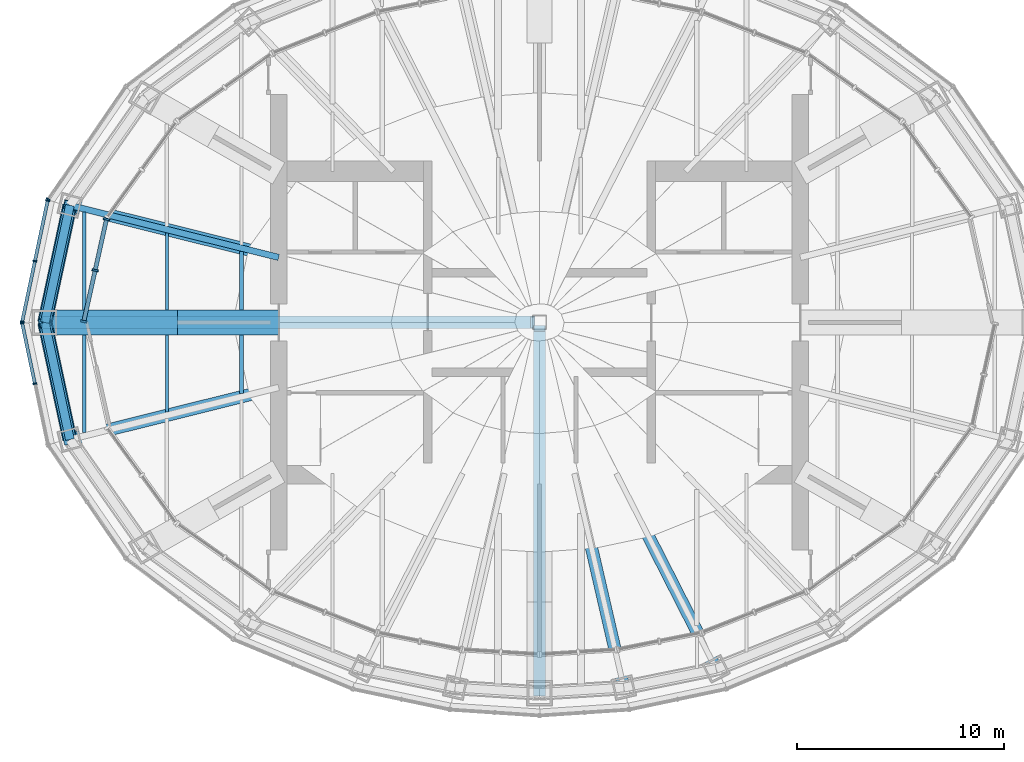
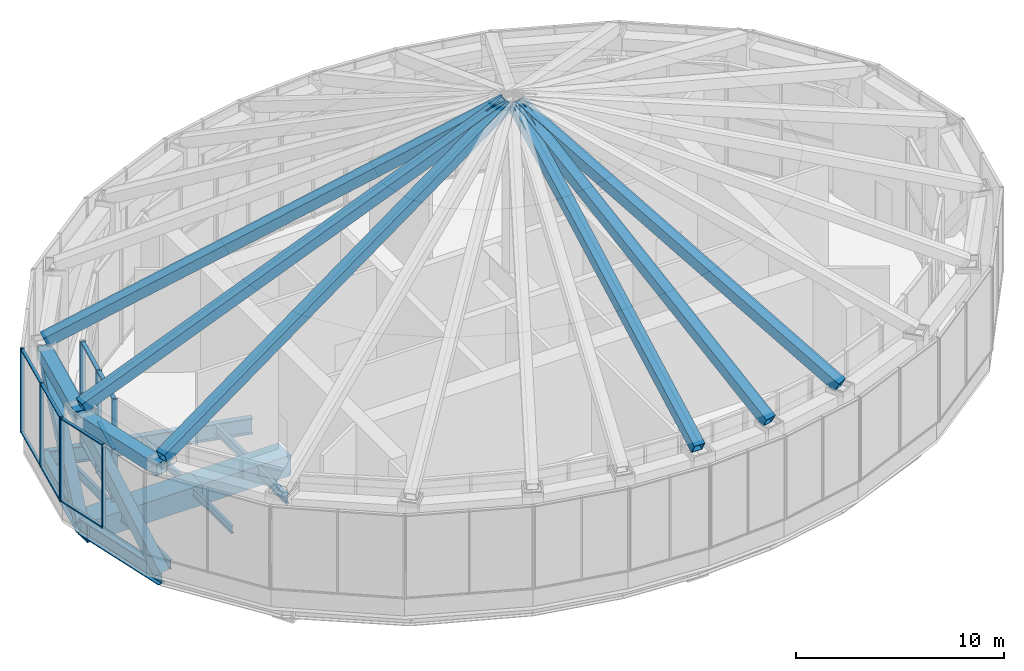
# One storey, part 5 of 21: 29 members, 13 beams, 4 elements without a shape of their own.
"""IFC4 building model written with IfcOpenShell, lengths in metres."""

import ifcopenshell
import ifcopenshell.guid

model = None  # the IFC model being written
_history = None  # IfcOwnerHistory: only IFC2X3 demands one
_inside = {}  # id of a spatial element -> (the spatial element, [elements in it])
_under = {}  # id of a project, library or spatial element -> (it, [spatial elements below it])
_declared = {}  # id of a project -> (the project, [libraries it declares])
_typed = {}  # id of a type object -> (the type object, [elements of that type])
_made_of = {}  # id of a material, layer set ... -> (it, [elements and type objects made of it])


def new_model(schema):
    """Start an empty IFC model of exactly this schema.

    Asked for "IFC4X3", IfcOpenShell would pick the latest addendum, in which some entities
    have other attributes; the version numbers below select the first issue.
    IFC2X3 requires an IfcOwnerHistory on every rooted entity: one is made here for all.
    """
    global model, _history
    if schema == "IFC4X3":
        model = ifcopenshell.file(schema_version=(4, 3, 0, 0))
    else:
        model = ifcopenshell.file(schema=schema)
    _inside.clear()
    _under.clear()
    _declared.clear()
    _typed.clear()
    _made_of.clear()
    _history = None
    if model.schema == "IFC2X3":
        org = make("IfcOrganization", Name="unknown")
        user = make(
            "IfcPersonAndOrganization",
            ThePerson=make("IfcPerson", FamilyName="unknown"),
            TheOrganization=org,
        )
        app = make(
            "IfcApplication",
            ApplicationDeveloper=org,
            Version="unknown",
            ApplicationFullName="unknown",
            ApplicationIdentifier="unknown",
        )
        _history = make(
            "IfcOwnerHistory",
            OwningUser=user,
            OwningApplication=app,
            ChangeAction="ADDED",
            CreationDate=0,
        )
    return model


def make(cls, **values):
    """One entity of the class cls with the attributes given. An attribute that is None is left unset."""
    return model.create_entity(
        cls, **{name: value for name, value in values.items() if value is not None}
    )


def rooted(cls, **values):
    """An entity with a GlobalId (a new one), such as an element, a storey or a relation."""
    return make(cls, GlobalId=ifcopenshell.guid.new(), OwnerHistory=_history, **values)


def si_unit(unit_type, name, prefix=None):
    """IfcSIUnit, for example si_unit("LENGTHUNIT", "METRE", prefix="MILLI")."""
    return make("IfcSIUnit", UnitType=unit_type, Prefix=prefix, Name=name)


def assignment(units):
    """IfcUnitAssignment: the units of a project."""
    return None if units is None else make("IfcUnitAssignment", Units=units)


def point(xyz):
    """IfcCartesianPoint."""
    return None if xyz is None else make("IfcCartesianPoint", Coordinates=xyz)


def direction(xyz):
    """IfcDirection."""
    return None if xyz is None else make("IfcDirection", DirectionRatios=xyz)


def frame(location, z_axis=None, x_axis=None):
    """IfcAxis2Placement3D, a coordinate frame: its origin and axes. An axis left out is left unset."""
    return make(
        "IfcAxis2Placement3D",
        Location=point(location),
        Axis=direction(z_axis),
        RefDirection=direction(x_axis),
    )


def frame_2d(location, x_axis=None):
    """IfcAxis2Placement2D, a coordinate frame in the plane: its origin and x axis."""
    return make(
        "IfcAxis2Placement2D", Location=point(location), RefDirection=direction(x_axis)
    )


def origin():
    """The frame at (0, 0, 0) with its axes left unset."""
    return frame((0.0, 0.0, 0.0))


def origin_2d():
    """The frame at (0, 0) in the plane with its x axis left unset."""
    return frame_2d((0.0, 0.0))


def place(relative_to, where):
    """IfcLocalPlacement: puts the frame where relative to a parent placement (None: the world)."""
    return make(
        "IfcLocalPlacement", PlacementRelTo=relative_to, RelativePlacement=where
    )


def context(
    kind, dimensions, precision=None, world=None, true_north=None, identifier=None
):
    """IfcGeometricRepresentationContext, for example the 3D "Model" context."""
    return make(
        "IfcGeometricRepresentationContext",
        ContextIdentifier=identifier,
        ContextType=kind,
        CoordinateSpaceDimension=dimensions,
        Precision=precision,
        WorldCoordinateSystem=world,
        TrueNorth=true_north,
    )


def subcontext(parent, identifier, kind, view, scale=None):
    """IfcGeometricRepresentationSubContext, for example "Body" below "Model"."""
    return make(
        "IfcGeometricRepresentationSubContext",
        ContextIdentifier=identifier,
        ContextType=kind,
        ParentContext=parent,
        TargetScale=scale,
        TargetView=view,
    )


def project(units=None, contexts=None):
    """IfcProject with its units and contexts."""
    return rooted(
        "IfcProject",
        Name="project",
        RepresentationContexts=contexts,
        UnitsInContext=assignment(units),
    )


def spatial(cls, under=None, at=None, **own):
    """A site, building, storey or space (cls), placed at a placement, below another one or the project."""
    s = rooted(cls, ObjectPlacement=at, **own)
    if under is not None:
        _under.setdefault(under.id(), (under, []))[1].append(s)
    return s


def profile(cls, at=None, kind="AREA", **sizes):
    """A parametric profile (cls). Its sizes go by their IFC names, for example OverallWidth=200.0."""
    return make(cls, ProfileType=kind, Position=at, **sizes)


def rectangle(**sizes):
    """IfcRectangleProfileDef."""
    return profile("IfcRectangleProfileDef", **sizes)


def hollow_rectangle(**sizes):
    """IfcRectangleHollowProfileDef."""
    return profile("IfcRectangleHollowProfileDef", **sizes)


def i_section(**sizes):
    """IfcIShapeProfileDef."""
    return profile("IfcIShapeProfileDef", **sizes)


def extrude(swept, where, along, depth):
    """IfcExtrudedAreaSolid: the profile swept, set in the frame where, extruded along a direction by depth."""
    return make(
        "IfcExtrudedAreaSolid",
        SweptArea=swept,
        Position=where,
        ExtrudedDirection=direction(along),
        Depth=depth,
    )


def shape(context_of_items, identifier, shape_type, items):
    """IfcShapeRepresentation: the items that make up one representation, for example the "Body"."""
    return make(
        "IfcShapeRepresentation",
        ContextOfItems=context_of_items,
        RepresentationIdentifier=identifier,
        RepresentationType=shape_type,
        Items=items,
    )


def material(Name=None, Category=None):
    """IfcMaterial."""
    return make("IfcMaterial", Name=Name, Category=Category)


def material_profile(
    of_material, cross_section, Name=None, Category=None, Priority=None
):
    """IfcMaterialProfile: a cross section and its material."""
    return make(
        "IfcMaterialProfile",
        Name=Name,
        Material=of_material,
        Profile=cross_section,
        Priority=Priority,
        Category=Category,
    )


def profile_set(profiles, Name=None, composite=None):
    """IfcMaterialProfileSet."""
    return make(
        "IfcMaterialProfileSet",
        Name=Name,
        MaterialProfiles=profiles,
        CompositeProfile=composite,
    )


def made_of(thing, what):
    """Note that an element or type object is made of a material, layer set ...; save() writes the relation."""
    if what is not None:
        _made_of.setdefault(what.id(), (what, []))[1].append(thing)
    return thing


def type_object(cls, material=None, **own):
    """A type object (cls), such as IfcWallType, which elements share."""
    return made_of(rooted(cls, **own), material)


def element(
    cls,
    number,
    at=None,
    inside=None,
    cuts=None,
    type_object=None,
    material=None,
    context=None,
    identifier="Body",
    shape_type=None,
    held_by="IfcProductDefinitionShape",
    body=None,
    shapes=None,
    **own,
):
    """One element of the class cls, such as IfcWall. Its Tag is "e" and its number.

    at: its placement. inside: the storey or other place that contains it. cuts: it is an
    opening in that element (IfcRelVoidsElement). A single representation is given by context,
    identifier, shape_type and body (its items); several are given by shapes. held_by: the class
    of the entity that holds the representations. save() writes the other relations.
    """
    e = rooted(cls, Tag="e%d" % number, ObjectPlacement=at, **own)
    if body is not None:
        shapes = [shape(context, identifier, shape_type, body)]
    if shapes is not None:
        e.Representation = make(held_by, Representations=shapes)
    if inside is not None:
        _inside.setdefault(inside.id(), (inside, []))[1].append(e)
    if cuts is not None:
        rooted(
            "IfcRelVoidsElement", RelatingBuildingElement=cuts, RelatedOpeningElement=e
        )
    if type_object is not None:
        _typed.setdefault(type_object.id(), (type_object, []))[1].append(e)
    return made_of(e, material)


def aggregate(whole, parts):
    """IfcRelAggregates: a whole, such as a stair, and the parts it consists of."""
    return rooted("IfcRelAggregates", RelatingObject=whole, RelatedObjects=parts)


def save(model, path):
    """Write the relations noted so far, then the file.

    IfcRelAggregates (storeys below a building ...), IfcRelContainedInSpatialStructure (elements
    in a storey), IfcRelDefinesByType, IfcRelAssociatesMaterial and IfcRelDeclares: one each for
    every whole, place, type object, material and project.
    """
    for whole, parts in _under.values():
        aggregate(whole, parts)
    for where, things in _inside.values():
        rooted(
            "IfcRelContainedInSpatialStructure",
            RelatedElements=things,
            RelatingStructure=where,
        )
    for kind, things in _typed.values():
        rooted("IfcRelDefinesByType", RelatedObjects=things, RelatingType=kind)
    for what, things in _made_of.values():
        rooted("IfcRelAssociatesMaterial", RelatedObjects=things, RelatingMaterial=what)
    for by, libraries in _declared.values():
        rooted("IfcRelDeclares", RelatingContext=by, RelatedDefinitions=libraries)
    model.write(path)


model = new_model("IFC4")

# Units and contexts
model_context = context("Model", 3, precision=1e-05, world=origin(), true_north=direction((0.0, 1.0)))
body_context = subcontext(model_context, "Body", "Model", "MODEL_VIEW")
ifc_project = project(units=[si_unit("LENGTHUNIT", "METRE"), si_unit("AREAUNIT", "SQUARE_METRE"), si_unit("VOLUMEUNIT", "CUBIC_METRE"), si_unit("PLANEANGLEUNIT", "RADIAN"), si_unit("MASSUNIT", "GRAM", prefix="KILO")], contexts=[model_context])

# Site, building, storey
site_placement = place(None, origin())
site = spatial("IfcSite", under=ifc_project, at=site_placement, CompositionType="ELEMENT")
building_placement = place(site_placement, origin())
building = spatial("IfcBuilding", under=site, at=building_placement, Name="Lantaw Convention Tower", CompositionType="ELEMENT")
storey_placement = place(building_placement, frame((0.0, 0.0, 290.39990234375)))
storey = spatial("IfcBuildingStorey", under=building, at=storey_placement, Name="L67", CompositionType="ELEMENT", Elevation=290.39990234375)

# Beams
ifc_material_1 = material(Name="Steel ASTM A992", Category="steel")
ifc_material_profile_1 = material_profile(ifc_material_1, i_section(OverallWidth=0.424072265625, OverallDepth=0.947509765625, WebThickness=0.02392578125, FlangeThickness=0.042724609375, FilletRadius=0.012451171875, at=origin_2d()), Name="W36X302")
ifc_profile_set_1 = profile_set([ifc_material_profile_1], Name="Steel ASTM A992")
beam_type_1 = type_object("IfcBeamType", Name="Beam BC W36X302", PredefinedType="SPANDREL", material=ifc_profile_set_1)
for number, where, z_axis, x_axis, name in (
    (1, (-22.68701171875, 5.656494140625, -0.673583984375), (-0.209658780372, -0.977774614015, 0.0), (0.977774614015, -0.209658780372, 0.0), "Belt truss chord 12"),
    (2, (-23.89990234375, 0.0, -0.673583984375), (0.209658780372, -0.977774614015, 0.0), (0.977774614015, 0.209658780372, 0.0), "Belt truss chord 13"),
):
    element("IfcBeam", number, at=place(storey_placement, frame(where, z_axis=z_axis, x_axis=x_axis)), inside=storey, type_object=beam_type_1, Name=name, PredefinedType="SPANDREL", context=body_context, shape_type="SweptSolid", body=[
        extrude(i_section(OverallWidth=0.424072265625, OverallDepth=0.947509765625, WebThickness=0.02392578125, FlangeThickness=0.042724609375, FilletRadius=0.012451171875, at=origin_2d()), origin(), (0.0, 0.0, 1.0), 5.78515625),
    ])
ifc_material_2 = material(Name="Steel EN 10025-3 S460N", Category="steel")
ifc_material_profile_2 = material_profile(ifc_material_2, hollow_rectangle(XDim=1.199951171875, YDim=1.199951171875, WallThickness=0.10009765625, at=origin_2d()), Name="BOX1200X100")
ifc_profile_set_2 = profile_set([ifc_material_profile_2], Name="Steel EN 10025-3 S460N")
beam_type_2 = type_object("IfcBeamType", Name="Beam G BOX1200X100", PredefinedType="BEAM", material=ifc_profile_set_2)
beam_1_placement = place(storey_placement, frame((-17.5, 0.0, -0.7998046875), z_axis=(-1.0, 0.0, 0.0), x_axis=(0.0, -1.0, 0.0)))
element("IfcBeam", 3, at=beam_1_placement, inside=storey, type_object=beam_type_2, Name="Floor girder on ray 13", PredefinedType="BEAM", context=body_context, shape_type="SweptSolid", body=[
    extrude(hollow_rectangle(XDim=1.199951171875, YDim=1.199951171875, WallThickness=0.10009765625, at=origin_2d()), origin(), (0.0, 0.0, 1.0), 6.39990234375),
])
ifc_material_profile_3 = material_profile(ifc_material_1, i_section(OverallWidth=0.307373046875, OverallDepth=0.9423828125, WebThickness=0.022216796875, FlangeThickness=0.039794921875, FilletRadius=0.0126953125, at=origin_2d()), Name="W36X232")
ifc_profile_set_3 = profile_set([ifc_material_profile_3], Name="Steel ASTM A992")
beam_type_3 = type_object("IfcBeamType", Name="Beam G W36X232", PredefinedType="BEAM", material=ifc_profile_set_3)
beam_2_placement = place(storey_placement, frame((-12.60009765625, 3.1416015625, -0.671142578125), z_axis=(-0.97029702597, 0.241916682751, 0.0), x_axis=(-0.241916682751, -0.97029702597, 0.0)))
element("IfcBeam", 4, at=beam_2_placement, inside=storey, type_object=beam_type_3, Name="Floor girder on ray 12", PredefinedType="BEAM", context=body_context, shape_type="SweptSolid", body=[
    extrude(i_section(OverallWidth=0.307373046875, OverallDepth=0.9423828125, WebThickness=0.022216796875, FlangeThickness=0.039794921875, FilletRadius=0.0126953125, at=origin_2d()), origin(), (0.0, 0.0, 1.0), 10.395751953125),
])
ifc_material_profile_4 = material_profile(ifc_material_1, i_section(OverallWidth=0.15234375, OverallDepth=0.449462890625, WebThickness=0.007568359375, FlangeThickness=0.0107421875, FilletRadius=0.01025390625, at=origin_2d()), Name="W18X35")
ifc_profile_set_4 = profile_set([ifc_material_profile_4], Name="Steel ASTM A992")
beam_type_4 = type_object("IfcBeamType", Name="Beam J W18X35", PredefinedType="JOIST", material=ifc_profile_set_4)
for number, where, z_axis, x_axis, name in (
    (5, (-18.0, -4.32958984375, -0.4248046875), (0.0, 1.0, 0.0), (-1.0, 0.0, 0.0), "Floor joist"),
    (6, (-18.0, 0.60009765625, -0.4248046875), (0.0, 1.0, 0.0), (-1.0, 0.0, 0.0), "Floor joist"),
):
    element("IfcBeam", number, at=place(storey_placement, frame(where, z_axis=z_axis, x_axis=x_axis)), inside=storey, type_object=beam_type_4, Name=name, PredefinedType="JOIST", context=body_context, shape_type="SweptSolid", body=[
        extrude(i_section(OverallWidth=0.15234375, OverallDepth=0.449462890625, WebThickness=0.007568359375, FlangeThickness=0.0107421875, FilletRadius=0.01025390625, at=origin_2d()), origin(), (0.0, 0.0, 1.0), 3.7294921875),
    ])
ifc_material_profile_5 = material_profile(ifc_material_1, i_section(OverallWidth=0.1650390625, OverallDepth=0.52587890625, WebThickness=0.0087890625, FlangeThickness=0.011474609375, FilletRadius=0.0126953125, at=origin_2d()), Name="W21X44")
ifc_profile_set_5 = profile_set([ifc_material_profile_5], Name="Steel ASTM A992")
beam_type_5 = type_object("IfcBeamType", Name="Beam J W21X44", PredefinedType="JOIST", material=ifc_profile_set_5)
for number, where, z_axis, x_axis, name in (
    (7, (-22.0, -5.326904296875, -0.462890625), (0.0, 1.0, 0.0), (-1.0, 0.0, 0.0), "Floor joist"),
    (8, (-22.0, 0.60009765625, -0.462890625), (0.0, 1.0, 0.0), (-1.0, 0.0, 0.0), "Floor joist"),
):
    element("IfcBeam", number, at=place(storey_placement, frame(where, z_axis=z_axis, x_axis=x_axis)), inside=storey, type_object=beam_type_5, Name=name, PredefinedType="JOIST", context=body_context, shape_type="SweptSolid", body=[
        extrude(i_section(OverallWidth=0.1650390625, OverallDepth=0.52587890625, WebThickness=0.0087890625, FlangeThickness=0.011474609375, FilletRadius=0.0126953125, at=origin_2d()), origin(), (0.0, 0.0, 1.0), 4.726806640625),
    ])
ifc_material_profile_6 = material_profile(ifc_material_1, i_section(OverallWidth=0.2099609375, OverallDepth=0.535888671875, WebThickness=0.010986328125, FlangeThickness=0.017333984375, FilletRadius=0.012939453125, at=origin_2d()), Name="W21X68")
ifc_profile_set_6 = profile_set([ifc_material_profile_6], Name="Steel ASTM A992")
beam_type_6 = type_object("IfcBeamType", Name="Beam J W21X68", PredefinedType="JOIST", material=ifc_profile_set_6)
for number, where, z_axis, x_axis, name in (
    (9, (-14.39990234375, -3.431884765625, -0.4677734375), (0.0, 1.0, 0.0), (-1.0, 0.0, 0.0), "Floor joist"),
    (10, (-14.39990234375, 0.60009765625, -0.4677734375), (0.0, 1.0, 0.0), (-1.0, 0.0, 0.0), "Floor joist"),
):
    element("IfcBeam", number, at=place(storey_placement, frame(where, z_axis=z_axis, x_axis=x_axis)), inside=storey, type_object=beam_type_6, Name=name, PredefinedType="JOIST", context=body_context, shape_type="SweptSolid", body=[
        extrude(i_section(OverallWidth=0.2099609375, OverallDepth=0.535888671875, WebThickness=0.010986328125, FlangeThickness=0.017333984375, FilletRadius=0.012939453125, at=origin_2d()), origin(), (0.0, 0.0, 1.0), 2.831787109375),
    ])
ifc_material_profile_7 = material_profile(ifc_material_2, hollow_rectangle(XDim=1.199951171875, YDim=1.199951171875, WallThickness=0.10009765625, at=origin_2d()), Name="BOX1200X100")
ifc_profile_set_7 = profile_set([ifc_material_profile_7], Name="Steel EN 10025-3 S460N")
beam_type_7 = type_object("IfcBeamType", Name="Beam OC BOX1200X100", PredefinedType="BEAM", material=ifc_profile_set_7)
beam_3_placement = place(storey_placement, frame((-12.60009765625, 0.0, -0.7998046875), z_axis=(-1.0, 0.0, 0.0), x_axis=(0.0, -1.0, 0.0)))
element("IfcBeam", 11, at=beam_3_placement, inside=storey, type_object=beam_type_7, Name="Outrigger chord on ray 13", PredefinedType="BEAM", context=body_context, shape_type="SweptSolid", body=[
    extrude(hollow_rectangle(XDim=1.199951171875, YDim=1.199951171875, WallThickness=0.10009765625, at=origin_2d()), origin(), (0.0, 0.0, 1.0), 4.89990234375),
])
ifc_material_3 = material(Name="Steel ASTM A572 Grade 50", Category="steel")
ifc_material_profile_8 = material_profile(ifc_material_3, hollow_rectangle(XDim=0.699951171875, YDim=0.699951171875, WallThickness=0.0400390625, at=origin_2d()), Name="BOX700X40")
ifc_profile_set_8 = profile_set([ifc_material_profile_8], Name="Steel ASTM A572 Grade 50")
beam_type_8 = type_object("IfcBeamType", Name="Beam crown ring BOX700X40", PredefinedType="SPANDREL", material=ifc_profile_set_8)
for number, where, z_axis, x_axis, name in (
    (12, (-22.68701171875, 5.656494140625, 5.650146484375), (-0.209658780372, -0.977774614015, 0.0), (0.977774614015, -0.209658780372, 0.0), "Crown ring beam"),
    (13, (-23.89990234375, 0.0, 5.650146484375), (0.209658780372, -0.977774614015, 0.0), (0.977774614015, 0.209658780372, 0.0), "Crown ring beam"),
):
    element("IfcBeam", number, at=place(storey_placement, frame(where, z_axis=z_axis, x_axis=x_axis)), inside=storey, type_object=beam_type_8, Name=name, PredefinedType="SPANDREL", context=body_context, shape_type="SweptSolid", body=[
        extrude(hollow_rectangle(XDim=0.699951171875, YDim=0.699951171875, WallThickness=0.0400390625, at=origin_2d()), origin(), (0.0, 0.0, 1.0), 5.78515625),
    ])

# Curtain wall, members
ifc_material_4 = material(Name="Aluminium framed curtain wall", Category="aluminium")
curtain_wall_type_1 = type_object("IfcCurtainWallType", Name="LANTERN glazing curtain wall, pale aluminium", PredefinedType="USERDEFINED", material=ifc_material_4)
curtain_wall_1_placement = place(storey_placement, origin())
curtain_wall_1 = element("IfcCurtainWall", 14, at=curtain_wall_1_placement, inside=storey, type_object=curtain_wall_type_1, Name="LANTERN glazing curtain wall, pale aluminium L67", ObjectType="LANTERN GLAZING", PredefinedType="USERDEFINED")
ifc_material_5 = material(Name="Aluminium 6063-T6", Category="aluminium")
ifc_material_profile_9 = material_profile(ifc_material_5, rectangle(XDim=0.300048828125, YDim=0.10009765625, at=origin_2d()), Name="CW-LN mullion 100x300")
ifc_profile_set_9 = profile_set([ifc_material_profile_9], Name="Aluminium 6063-T6")
member_type_1 = type_object("IfcMemberType", Name="CW-LN mullion 100x300", PredefinedType="MULLION", material=ifc_profile_set_9)
member_1_placement = place(storey_placement, frame((-20.919677734375, 4.98681640625, 0.0), z_axis=(0.0, 0.0, 1.0), x_axis=(0.976223729568, -0.216765379683, 0.0)))
member_1 = element("IfcMember", 15, at=member_1_placement, type_object=member_type_1, Name="CW-LN mullion 1", PredefinedType="MULLION", context=body_context, shape_type="SweptSolid", body=[
    extrude(rectangle(XDim=0.300048828125, YDim=0.10009765625, at=origin_2d()), origin(), (0.0, 0.0, 1.0), 6.0),
])
member_2_placement = place(storey_placement, frame((-21.4677734375, 2.517822265625, 0.0), z_axis=(0.0, 0.0, 1.0), x_axis=(0.976223729568, -0.216765379683, 0.0)))
member_2 = element("IfcMember", 16, at=member_2_placement, type_object=member_type_1, Name="CW-LN mullion 2", PredefinedType="MULLION", context=body_context, shape_type="SweptSolid", body=[
    extrude(rectangle(XDim=0.300048828125, YDim=0.10009765625, at=origin_2d()), origin(), (0.0, 0.0, 1.0), 6.0),
])
member_3_placement = place(storey_placement, frame((-22.01611328125, 0.048828125, 0.0), z_axis=(0.0, 0.0, 1.0), x_axis=(0.976223729568, -0.216765379683, 0.0)))
member_3 = element("IfcMember", 17, at=member_3_placement, type_object=member_type_1, Name="CW-LN mullion 3", PredefinedType="MULLION", context=body_context, shape_type="SweptSolid", body=[
    extrude(rectangle(XDim=0.300048828125, YDim=0.10009765625, at=origin_2d()), origin(), (0.0, 0.0, 1.0), 6.0),
])
ifc_material_profile_10 = material_profile(ifc_material_5, rectangle(XDim=0.199951171875, YDim=0.10009765625, at=origin_2d()), Name="CW-LN transom 100x200")
ifc_profile_set_10 = profile_set([ifc_material_profile_10], Name="Aluminium 6063-T6")
member_type_2 = type_object("IfcMemberType", Name="CW-LN transom 100x200", PredefinedType="USERDEFINED", material=ifc_profile_set_10)
member_4_placement = place(storey_placement, frame((-20.930419921875, 4.93798828125, 0.050048828125), z_axis=(-0.21679211166, -0.976217793488, 0.0), x_axis=(0.976217793488, -0.21679211166, 0.0)))
member_4 = element("IfcMember", 18, at=member_4_placement, type_object=member_type_2, Name="CW-LN transom 1.1", ObjectType="TRANSOM", PredefinedType="USERDEFINED", context=body_context, shape_type="SweptSolid", body=[
    extrude(rectangle(XDim=0.199951171875, YDim=0.10009765625, at=origin_2d()), origin(), (0.0, 0.0, 1.0), 2.42919921875),
])
member_5_placement = place(storey_placement, frame((-20.930419921875, 4.93798828125, 3.0), z_axis=(-0.21679211166, -0.976217793488, 0.0), x_axis=(0.976217793488, -0.21679211166, 0.0)))
member_5 = element("IfcMember", 19, at=member_5_placement, type_object=member_type_2, Name="CW-LN transom 1.2", ObjectType="TRANSOM", PredefinedType="USERDEFINED", context=body_context, shape_type="SweptSolid", body=[
    extrude(rectangle(XDim=0.199951171875, YDim=0.10009765625, at=origin_2d()), origin(), (0.0, 0.0, 1.0), 2.42919921875),
])
member_6_placement = place(storey_placement, frame((-20.930419921875, 4.93798828125, 5.9501953125), z_axis=(-0.21679211166, -0.976217793488, 0.0), x_axis=(0.976217793488, -0.21679211166, 0.0)))
member_6 = element("IfcMember", 20, at=member_6_placement, type_object=member_type_2, Name="CW-LN transom 1.3", ObjectType="TRANSOM", PredefinedType="USERDEFINED", context=body_context, shape_type="SweptSolid", body=[
    extrude(rectangle(XDim=0.199951171875, YDim=0.10009765625, at=origin_2d()), origin(), (0.0, 0.0, 1.0), 2.42919921875),
])
member_7_placement = place(storey_placement, frame((-21.478515625, 2.468994140625, 0.050048828125), z_axis=(-0.21679211166, -0.976217793488, 0.0), x_axis=(0.976217793488, -0.21679211166, 0.0)))
member_7 = element("IfcMember", 21, at=member_7_placement, type_object=member_type_2, Name="CW-LN transom 2.1", ObjectType="TRANSOM", PredefinedType="USERDEFINED", context=body_context, shape_type="SweptSolid", body=[
    extrude(rectangle(XDim=0.199951171875, YDim=0.10009765625, at=origin_2d()), origin(), (0.0, 0.0, 1.0), 2.42919921875),
])
member_8_placement = place(storey_placement, frame((-21.478515625, 2.468994140625, 3.0), z_axis=(-0.21679211166, -0.976217793488, 0.0), x_axis=(0.976217793488, -0.21679211166, 0.0)))
member_8 = element("IfcMember", 22, at=member_8_placement, type_object=member_type_2, Name="CW-LN transom 2.2", ObjectType="TRANSOM", PredefinedType="USERDEFINED", context=body_context, shape_type="SweptSolid", body=[
    extrude(rectangle(XDim=0.199951171875, YDim=0.10009765625, at=origin_2d()), origin(), (0.0, 0.0, 1.0), 2.42919921875),
])
member_9_placement = place(storey_placement, frame((-21.478515625, 2.468994140625, 5.9501953125), z_axis=(-0.21679211166, -0.976217793488, 0.0), x_axis=(0.976217793488, -0.21679211166, 0.0)))
member_9 = element("IfcMember", 23, at=member_9_placement, type_object=member_type_2, Name="CW-LN transom 2.3", ObjectType="TRANSOM", PredefinedType="USERDEFINED", context=body_context, shape_type="SweptSolid", body=[
    extrude(rectangle(XDim=0.199951171875, YDim=0.10009765625, at=origin_2d()), origin(), (0.0, 0.0, 1.0), 2.42919921875),
])
aggregate(curtain_wall_1, [member_1, member_2, member_3, member_4, member_5, member_6, member_7, member_8, member_9])

# Curtain wall, member
curtain_wall_type_2 = type_object("IfcCurtainWallType", Name="Plant floor louvre wall, pale aluminium", PredefinedType="USERDEFINED", material=ifc_material_4)
curtain_wall_2_placement = place(storey_placement, origin())
curtain_wall_2 = element("IfcCurtainWall", 24, at=curtain_wall_2_placement, inside=storey, type_object=curtain_wall_type_2, Name="Plant floor louvre wall, pale aluminium L67", ObjectType="LOUVRE WALL", PredefinedType="USERDEFINED")
ifc_material_profile_11 = material_profile(ifc_material_5, rectangle(XDim=0.199951171875, YDim=0.070068359375, at=origin_2d()), Name="CW-LV mullion 70x200")
ifc_profile_set_11 = profile_set([ifc_material_profile_11], Name="Aluminium 6063-T6")
member_type_3 = type_object("IfcMemberType", Name="CW-LV mullion 70x200", PredefinedType="MULLION", material=ifc_profile_set_11)
member_10_placement = place(storey_placement, frame((-23.734619140625, 5.951416015625, 1.10009765625), z_axis=(0.0, 0.0, 1.0), x_axis=(0.824449977189, -0.565934832921, 0.0)))
member_10 = element("IfcMember", 25, at=member_10_placement, type_object=member_type_3, Name="CW-LV mullion 3", PredefinedType="MULLION", context=body_context, shape_type="SweptSolid", body=[
    extrude(rectangle(XDim=0.199951171875, YDim=0.070068359375, at=origin_2d()), origin(), (0.0, 0.0, 1.0), 4.89990234375),
])
aggregate(curtain_wall_2, [member_10])

# Curtain wall, members
curtain_wall_3_placement = place(storey_placement, origin())
curtain_wall_3 = element("IfcCurtainWall", 26, at=curtain_wall_3_placement, inside=storey, type_object=curtain_wall_type_2, Name="Plant floor louvre wall, pale aluminium L67", ObjectType="LOUVRE WALL", PredefinedType="USERDEFINED")
member_11_placement = place(storey_placement, frame((-23.761474609375, 5.888427734375, 1.10009765625), z_axis=(0.0, 0.0, 1.0), x_axis=(0.978591117263, -0.205814054946, 0.0)))
member_11 = element("IfcMember", 27, at=member_11_placement, type_object=member_type_3, Name="CW-LV mullion 1", PredefinedType="MULLION", context=body_context, shape_type="SweptSolid", body=[
    extrude(rectangle(XDim=0.199951171875, YDim=0.070068359375, at=origin_2d()), origin(), (0.0, 0.0, 1.0), 4.89990234375),
])
member_12_placement = place(storey_placement, frame((-24.377197265625, 2.96142578125, 1.10009765625), z_axis=(0.0, 0.0, 1.0), x_axis=(0.978591117263, -0.205814054946, 0.0)))
member_12 = element("IfcMember", 28, at=member_12_placement, type_object=member_type_3, Name="CW-LV mullion 2", PredefinedType="MULLION", context=body_context, shape_type="SweptSolid", body=[
    extrude(rectangle(XDim=0.199951171875, YDim=0.070068359375, at=origin_2d()), origin(), (0.0, 0.0, 1.0), 4.89990234375),
])
member_13_placement = place(storey_placement, frame((-24.99267578125, 0.0341796875, 1.10009765625), z_axis=(0.0, 0.0, 1.0), x_axis=(0.978591117263, -0.205814054946, 0.0)))
member_13 = element("IfcMember", 29, at=member_13_placement, type_object=member_type_3, Name="CW-LV mullion 3", PredefinedType="MULLION", context=body_context, shape_type="SweptSolid", body=[
    extrude(rectangle(XDim=0.199951171875, YDim=0.070068359375, at=origin_2d()), origin(), (0.0, 0.0, 1.0), 4.89990234375),
])

curtain_wall_4_placement = place(storey_placement, origin())
curtain_wall_4 = element("IfcCurtainWall", 30, at=curtain_wall_4_placement, inside=storey, type_object=curtain_wall_type_2, Name="Plant floor louvre wall, pale aluminium L67", ObjectType="LOUVRE WALL", PredefinedType="USERDEFINED")
member_14_placement = place(storey_placement, frame((-24.99267578125, -0.0341796875, 1.10009765625), z_axis=(0.0, 0.0, 1.0), x_axis=(0.978591117263, 0.205814054946, 0.0)))
member_14 = element("IfcMember", 31, at=member_14_placement, type_object=member_type_3, Name="CW-LV mullion 1", PredefinedType="MULLION", context=body_context, shape_type="SweptSolid", body=[
    extrude(rectangle(XDim=0.199951171875, YDim=0.070068359375, at=origin_2d()), origin(), (0.0, 0.0, 1.0), 4.89990234375),
])
member_15_placement = place(storey_placement, frame((-24.377197265625, -2.96142578125, 1.10009765625), z_axis=(0.0, 0.0, 1.0), x_axis=(0.978591117263, 0.205814054946, 0.0)))
member_15 = element("IfcMember", 32, at=member_15_placement, type_object=member_type_3, Name="CW-LV mullion 2", PredefinedType="MULLION", context=body_context, shape_type="SweptSolid", body=[
    extrude(rectangle(XDim=0.199951171875, YDim=0.070068359375, at=origin_2d()), origin(), (0.0, 0.0, 1.0), 4.89990234375),
])

# Member
ifc_material_profile_12 = material_profile(ifc_material_5, rectangle(XDim=0.159912109375, YDim=0.070068359375, at=origin_2d()), Name="CW-LV transom 70x160")
ifc_profile_set_12 = profile_set([ifc_material_profile_12], Name="Aluminium 6063-T6")
member_type_4 = type_object("IfcMemberType", Name="CW-LV transom 70x160", PredefinedType="USERDEFINED", material=ifc_profile_set_12)
member_16_placement = place(storey_placement, frame((-23.768798828125, 5.854248046875, 1.135009765625), z_axis=(-0.205766173106, -0.978601186391, 0.0), x_axis=(0.978601186391, -0.205766173106, 0.0)))
member_16 = element("IfcMember", 33, at=member_16_placement, type_object=member_type_4, Name="CW-LV transom 1.1", ObjectType="TRANSOM", PredefinedType="USERDEFINED", context=body_context, shape_type="SweptSolid", body=[
    extrude(rectangle(XDim=0.159912109375, YDim=0.070068359375, at=origin_2d()), origin(), (0.0, 0.0, 1.0), 2.921142578125),
])

member_17_placement = place(storey_placement, frame((-23.768798828125, 5.854248046875, 5.965087890625), z_axis=(-0.205766173106, -0.978601186391, 0.0), x_axis=(0.978601186391, -0.205766173106, 0.0)))
member_17 = element("IfcMember", 34, at=member_17_placement, type_object=member_type_4, Name="CW-LV transom 1.2", ObjectType="TRANSOM", PredefinedType="USERDEFINED", context=body_context, shape_type="SweptSolid", body=[
    extrude(rectangle(XDim=0.159912109375, YDim=0.070068359375, at=origin_2d()), origin(), (0.0, 0.0, 1.0), 2.921142578125),
])

member_18_placement = place(storey_placement, frame((-24.38427734375, 2.927001953125, 1.135009765625), z_axis=(-0.205863045856, -0.978580812376, 0.0), x_axis=(0.978580812376, -0.205863045856, 0.0)))
member_18 = element("IfcMember", 35, at=member_18_placement, type_object=member_type_4, Name="CW-LV transom 2.1", ObjectType="TRANSOM", PredefinedType="USERDEFINED", context=body_context, shape_type="SweptSolid", body=[
    extrude(rectangle(XDim=0.159912109375, YDim=0.070068359375, at=origin_2d()), origin(), (0.0, 0.0, 1.0), 2.9208984375),
])

member_19_placement = place(storey_placement, frame((-24.38427734375, 2.927001953125, 5.965087890625), z_axis=(-0.205863045856, -0.978580812376, 0.0), x_axis=(0.978580812376, -0.205863045856, 0.0)))
member_19 = element("IfcMember", 36, at=member_19_placement, type_object=member_type_4, Name="CW-LV transom 2.2", ObjectType="TRANSOM", PredefinedType="USERDEFINED", context=body_context, shape_type="SweptSolid", body=[
    extrude(rectangle(XDim=0.159912109375, YDim=0.070068359375, at=origin_2d()), origin(), (0.0, 0.0, 1.0), 2.9208984375),
])

aggregate(curtain_wall_3, [member_11, member_12, member_13, member_16, member_17, member_18, member_19])

member_20_placement = place(storey_placement, frame((-24.985595703125, -0.068603515625, 1.135009765625), z_axis=(0.205863045856, -0.978580812376, 0.0), x_axis=(0.978580812376, 0.205863045856, 0.0)))
member_20 = element("IfcMember", 37, at=member_20_placement, type_object=member_type_4, Name="CW-LV transom 1.1", ObjectType="TRANSOM", PredefinedType="USERDEFINED", context=body_context, shape_type="SweptSolid", body=[
    extrude(rectangle(XDim=0.159912109375, YDim=0.070068359375, at=origin_2d()), origin(), (0.0, 0.0, 1.0), 2.9208984375),
])

member_21_placement = place(storey_placement, frame((-24.985595703125, -0.068603515625, 5.965087890625), z_axis=(0.205863045856, -0.978580812376, 0.0), x_axis=(0.978580812376, 0.205863045856, 0.0)))
member_21 = element("IfcMember", 38, at=member_21_placement, type_object=member_type_4, Name="CW-LV transom 1.2", ObjectType="TRANSOM", PredefinedType="USERDEFINED", context=body_context, shape_type="SweptSolid", body=[
    extrude(rectangle(XDim=0.159912109375, YDim=0.070068359375, at=origin_2d()), origin(), (0.0, 0.0, 1.0), 2.9208984375),
])

aggregate(curtain_wall_4, [member_14, member_15, member_20, member_21])

# Members
ifc_material_profile_13 = material_profile(ifc_material_3, hollow_rectangle(XDim=0.60009765625, YDim=0.60009765625, WallThickness=0.031982421875, at=origin_2d()), Name="BOX600X32")
ifc_profile_set_13 = profile_set([ifc_material_profile_13], Name="Steel ASTM A572 Grade 50")
member_type_5 = type_object("IfcMemberType", Name="Member CR BOX600X32", PredefinedType="BRACE", material=ifc_profile_set_13)
for number, where, z_axis, x_axis, name in (
    (39, (-23.89990234375, 0.0, -0.505859375), (0.143033508961, 0.667057844023, 0.731146529802), (-0.977774614015, 0.209658780372, 0.0), "Crown ring truss diagonal 12 (upper)"),
    (40, (-22.68701171875, -5.656494140625, -0.505859375), (-0.143033508961, 0.667057844023, 0.731146529802), (-0.977774614015, -0.209658780372, 0.0), "Crown ring truss diagonal 13 (upper)"),
):
    element("IfcMember", number, at=place(storey_placement, frame(where, z_axis=z_axis, x_axis=x_axis)), inside=storey, type_object=member_type_5, Name=name, PredefinedType="BRACE", context=body_context, shape_type="SweptSolid", body=[
        extrude(hollow_rectangle(XDim=0.60009765625, YDim=0.60009765625, WallThickness=0.031982421875, at=origin_2d()), origin(), (0.0, 0.0, 1.0), 8.479736328125),
    ])
ifc_material_profile_14 = material_profile(ifc_material_3, hollow_rectangle(XDim=0.60009765625, YDim=0.60009765625, WallThickness=0.031982421875, at=origin_2d()), Name="BOX600X32")
ifc_profile_set_14 = profile_set([ifc_material_profile_14], Name="Steel ASTM A572 Grade 50")
member_type_6 = type_object("IfcMemberType", Name="Member crown rib BOX600X32", PredefinedType="RAFTER", material=ifc_profile_set_14)
member_22_placement = place(storey_placement, frame((-22.68701171875, 5.656494140625, 6.300048828125), z_axis=(0.896847006668, -0.223609702953, 0.381659727214), x_axis=(0.241922537226, 0.9702955663, 0.0)))
element("IfcMember", 41, at=member_22_placement, inside=storey, type_object=member_type_6, Name="Crown rib", PredefinedType="RAFTER", context=body_context, shape_type="SweptSolid", body=[
    extrude(hollow_rectangle(XDim=0.60009765625, YDim=0.60009765625, WallThickness=0.031982421875, at=origin_2d()), origin(), (0.0, 0.0, 1.0), 24.939208984375),
])
member_23_placement = place(storey_placement, frame((-23.89990234375, 0.0, 6.300048828125), z_axis=(0.927205535412, 0.0, 0.37455292697), x_axis=(0.0, 1.0, 0.0)))
element("IfcMember", 42, at=member_23_placement, inside=storey, type_object=member_type_6, Name="Crown rib", PredefinedType="RAFTER", context=body_context, shape_type="SweptSolid", body=[
    extrude(hollow_rectangle(XDim=0.60009765625, YDim=0.60009765625, WallThickness=0.031982421875, at=origin_2d()), origin(), (0.0, 0.0, 1.0), 25.420166015625),
])
member_24_placement = place(storey_placement, frame((-22.68701171875, -5.656494140625, 6.300048828125), z_axis=(0.896847006668, 0.223609702953, 0.381659727214), x_axis=(-0.241922537226, 0.9702955663, 0.0)))
element("IfcMember", 43, at=member_24_placement, inside=storey, type_object=member_type_6, Name="Crown rib", PredefinedType="RAFTER", context=body_context, shape_type="SweptSolid", body=[
    extrude(hollow_rectangle(XDim=0.60009765625, YDim=0.60009765625, WallThickness=0.031982421875, at=origin_2d()), origin(), (0.0, 0.0, 1.0), 24.939208984375),
])
member_25_placement = place(storey_placement, frame((0.0, -17.89990234375, 6.300048828125), z_axis=(0.0, 0.880141441699, 0.474711536203), x_axis=(-1.0, 0.0, 0.0)))
element("IfcMember", 44, at=member_25_placement, inside=storey, type_object=member_type_6, Name="Crown rib", PredefinedType="RAFTER", context=body_context, shape_type="SweptSolid", body=[
    extrude(hollow_rectangle(XDim=0.60009765625, YDim=0.60009765625, WallThickness=0.031982421875, at=origin_2d()), origin(), (0.0, 0.0, 1.0), 20.01220703125),
])
member_26_placement = place(storey_placement, frame((4.072998046875, -17.642333984375, 6.300048828125), z_axis=(-0.198492707042, 0.859784412746, 0.470501231507), x_axis=(-0.974371099371, -0.224946573014, 0.0)))
element("IfcMember", 45, at=member_26_placement, inside=storey, type_object=member_type_6, Name="Crown rib", PredefinedType="RAFTER", context=body_context, shape_type="SweptSolid", body=[
    extrude(hollow_rectangle(XDim=0.60009765625, YDim=0.60009765625, WallThickness=0.031982421875, at=origin_2d()), origin(), (0.0, 0.0, 1.0), 20.191162109375),
])
member_27_placement = place(storey_placement, frame((8.5283203125, -16.73779296875, 6.300048828125), z_axis=(-0.403784173492, 0.792473282167, 0.457104406334), x_axis=(-0.891007038942, -0.453989489476, 0.0)))
element("IfcMember", 46, at=member_27_placement, inside=storey, type_object=member_type_6, Name="Crown rib", PredefinedType="RAFTER", context=body_context, shape_type="SweptSolid", body=[
    extrude(hollow_rectangle(XDim=0.60009765625, YDim=0.60009765625, WallThickness=0.031982421875, at=origin_2d()), origin(), (0.0, 0.0, 1.0), 20.782958984375),
])

save(model, "model.ifc")
